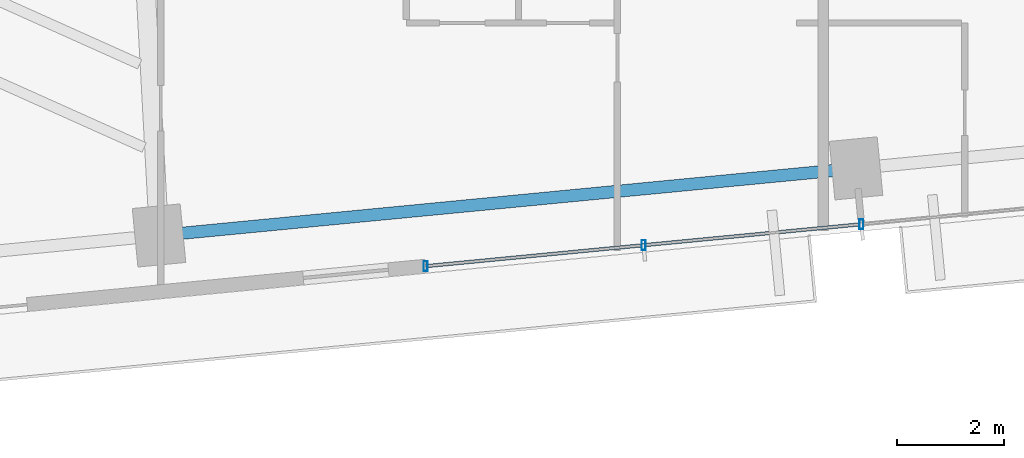
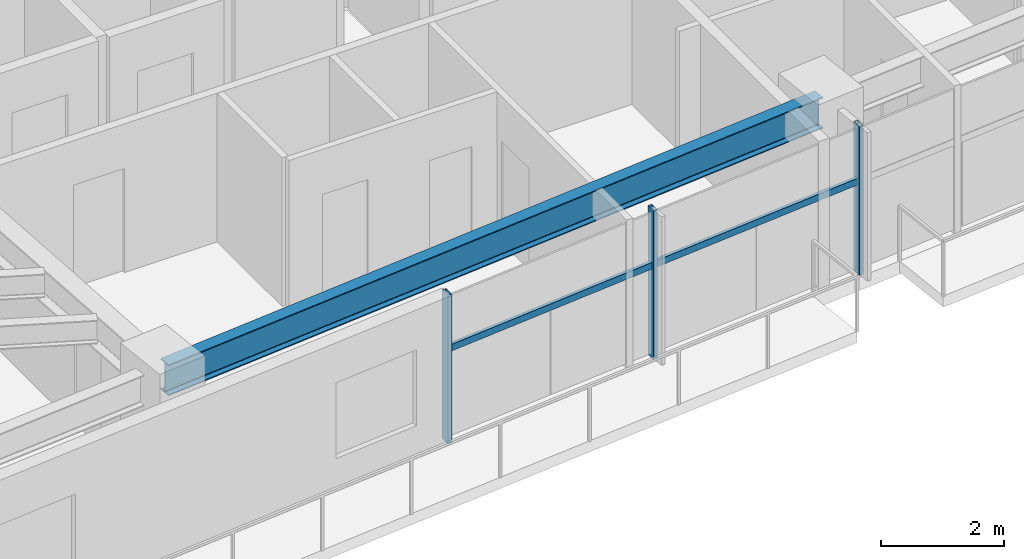
# One storey, part 6 of 27: 5 members, 1 beam, 1 element without a shape of its own.
"""IFC4 building model written with IfcOpenShell, lengths in metres."""

from ifc_helpers import new_model, si_unit, direction, frame, origin, origin_2d, place, context, subcontext, project, spatial, hollow_rectangle, i_section, extrude, source, transform, mapped, material, material_profile, profile_set, type_object, type_shapes, element, aggregate, save


model = new_model("IFC4")

# Units and contexts
model_context = context("Model", 3, precision=1e-05, world=origin(), true_north=direction((0.0, 1.0)))
body_context = subcontext(model_context, "Body", "Model", "MODEL_VIEW")
ifc_project = project(units=[si_unit("LENGTHUNIT", "METRE"), si_unit("AREAUNIT", "SQUARE_METRE"), si_unit("VOLUMEUNIT", "CUBIC_METRE"), si_unit("PLANEANGLEUNIT", "RADIAN"), si_unit("MASSUNIT", "GRAM", prefix="KILO")], contexts=[model_context])

# Site, building, storey
site_placement = place(None, origin())
site = spatial("IfcSite", under=ifc_project, at=site_placement, CompositionType="ELEMENT")
building_placement = place(site_placement, origin())
building = spatial("IfcBuilding", under=site, at=building_placement, Name="Astriad Promenade Condominiums", CompositionType="ELEMENT")
storey_placement = place(building_placement, frame((0.0, 0.0, 84.199951171875)))
storey = spatial("IfcBuildingStorey", under=building, at=storey_placement, Name="L23", CompositionType="ELEMENT", Elevation=84.199951171875)

# Beam
ifc_material_1 = material(Name="Steel ASTM A992 Grade 50", Category="steel")
ifc_material_profile_1 = material_profile(ifc_material_1, i_section(OverallWidth=0.22900390625, OverallDepth=0.612060546875, WebThickness=0.011962890625, FlangeThickness=0.01953125, FilletRadius=0.017822265625, at=origin_2d()), Name="W24X84")
ifc_profile_set_1 = profile_set([ifc_material_profile_1], Name="Steel ASTM A992 Grade 50")
beam_type = type_object("IfcBeamType", Name="STEEL SPANDREL BEAM W24X84", PredefinedType="SPANDREL", material=ifc_profile_set_1)
shared_shape_1 = source(origin(), body_context, "Body", "SweptSolid", [
    extrude(i_section(OverallWidth=0.22900390625, OverallDepth=0.612060546875, WebThickness=0.011962890625, FlangeThickness=0.01953125, FilletRadius=0.017822265625, at=origin_2d()), origin(), (0.0, 0.0, 1.0), 13.020263671875),
])
type_shapes(beam_type, [shared_shape_1])
beam_placement = place(storey_placement, frame((27.04541015625, 6.268798828125, 2.634033203125), z_axis=(0.995395311238, 0.095854965264, 0.0), x_axis=(-0.095854965264, 0.995395311238, 0.0)))
element("IfcBeam", 1, at=beam_placement, inside=storey, type_object=beam_type, Name="Perimeter Spandrel Beam SP-S2-L23", PredefinedType="SPANDREL", context=body_context, shape_type="MappedRepresentation", body=[
    mapped(shared_shape_1, transform((0.0, 0.0, 0.0), scale=1.0)),
])

# Curtain wall, members
ifc_material_2 = material(Name="Anodised aluminium Black Dark Glass Unitised", Category="aluminium")
curtain_wall_type = type_object("IfcCurtainWallType", Name="CW-B2-DARK", PredefinedType="USERDEFINED", material=ifc_material_2)
curtain_wall_placement = place(storey_placement, origin())
curtain_wall = element("IfcCurtainWall", 2, at=curtain_wall_placement, inside=storey, type_object=curtain_wall_type, Name="CW-L23-S", ObjectType="UNITISED_CURTAIN_WALL", PredefinedType="USERDEFINED")
ifc_material_3 = material(Name="Anodised aluminium 6063-T6 Black", Category="aluminium")
ifc_material_profile_2 = material_profile(ifc_material_3, hollow_rectangle(XDim=0.074951171875, YDim=0.18505859375, WallThickness=0.00439453125, at=origin_2d()), Name="ALU-MUL-75X185")
ifc_profile_set_2 = profile_set([ifc_material_profile_2], Name="Anodised aluminium 6063-T6 Black")
member_type_1 = type_object("IfcMemberType", Name="MUL-ALU-MUL-75X185", PredefinedType="MULLION", material=ifc_profile_set_2)
shared_shape_2 = source(origin(), body_context, "Body", "SweptSolid", [
    extrude(hollow_rectangle(XDim=0.074951171875, YDim=0.18505859375, WallThickness=0.00439453125, at=origin_2d()), origin(), (0.0, 0.0, 1.0), 2.93994140625),
])
type_shapes(member_type_1, [shared_shape_2])
member_1_placement = place(storey_placement, frame((40.14599609375, 6.475341796875, 0.0), z_axis=(0.0, 0.0, 1.0), x_axis=(1.0, 0.0, 0.0)))
member_1 = element("IfcMember", 3, at=member_1_placement, type_object=member_type_1, Name="CW-L23-S-MUL-02", PredefinedType="MULLION", context=body_context, shape_type="MappedRepresentation", body=[
    mapped(shared_shape_2, transform((0.0, 0.0, 0.0), scale=1.0)),
])
member_2_placement = place(storey_placement, frame((36.06982421875, 6.0830078125, 0.0), z_axis=(0.0, 0.0, 1.0), x_axis=(1.0, 0.0, 0.0)))
member_2 = element("IfcMember", 4, at=member_2_placement, type_object=member_type_1, Name="CW-L23-S-MUL-03", PredefinedType="MULLION", context=body_context, shape_type="MappedRepresentation", body=[
    mapped(shared_shape_2, transform((0.0, 0.0, 0.0), scale=1.0)),
])
member_3_placement = place(storey_placement, frame((31.99365234375, 5.6904296875, 0.0), z_axis=(0.0, 0.0, 1.0), x_axis=(1.0, 0.0, 0.0)))
member_3 = element("IfcMember", 5, at=member_3_placement, type_object=member_type_1, Name="CW-L23-S-MUL-04", PredefinedType="MULLION", context=body_context, shape_type="MappedRepresentation", body=[
    mapped(shared_shape_2, transform((0.0, 0.0, 0.0), scale=1.0)),
])
ifc_material_profile_3 = material_profile(ifc_material_3, hollow_rectangle(XDim=0.06494140625, YDim=0.1298828125, WallThickness=0.00390625, at=origin_2d()), Name="ALU-TRN-65X130")
ifc_profile_set_3 = profile_set([ifc_material_profile_3], Name="Anodised aluminium 6063-T6 Black")
member_type_2 = type_object("IfcMemberType", Name="TRN-ALU-TRN-65X130", PredefinedType="USERDEFINED", material=ifc_profile_set_3)
shared_shape_3 = source(origin(), body_context, "Body", "SweptSolid", [
    extrude(hollow_rectangle(XDim=0.06494140625, YDim=0.1298828125, WallThickness=0.00390625, at=origin_2d()), origin(), (0.0, 0.0, 1.0), 4.094970703125),
])
type_shapes(member_type_2, [shared_shape_3])
member_4_placement = place(storey_placement, frame((40.14599609375, 6.475341796875, 1.82275390625), z_axis=(-0.995399849002, -0.095807831657, 0.0), x_axis=(0.095807831657, -0.995399849002, 0.0)))
member_4 = element("IfcMember", 6, at=member_4_placement, type_object=member_type_2, Name="CW-L23-S-TRN-02-0", ObjectType="TRANSOM", PredefinedType="USERDEFINED", context=body_context, shape_type="MappedRepresentation", body=[
    mapped(shared_shape_3, transform((0.0, 0.0, 0.0), scale=1.0)),
])
member_5_placement = place(storey_placement, frame((36.06982421875, 6.0830078125, 1.82275390625), z_axis=(-0.995394161585, -0.09586690296, 0.0), x_axis=(0.09586690296, -0.995394161585, 0.0)))
member_5 = element("IfcMember", 7, at=member_5_placement, type_object=member_type_2, Name="CW-L23-S-TRN-03-0", ObjectType="TRANSOM", PredefinedType="USERDEFINED", context=body_context, shape_type="MappedRepresentation", body=[
    mapped(shared_shape_3, transform((0.0, 0.0, 0.0), scale=1.0)),
])
aggregate(curtain_wall, [member_1, member_2, member_3, member_4, member_5])

save(model, "model.ifc")
